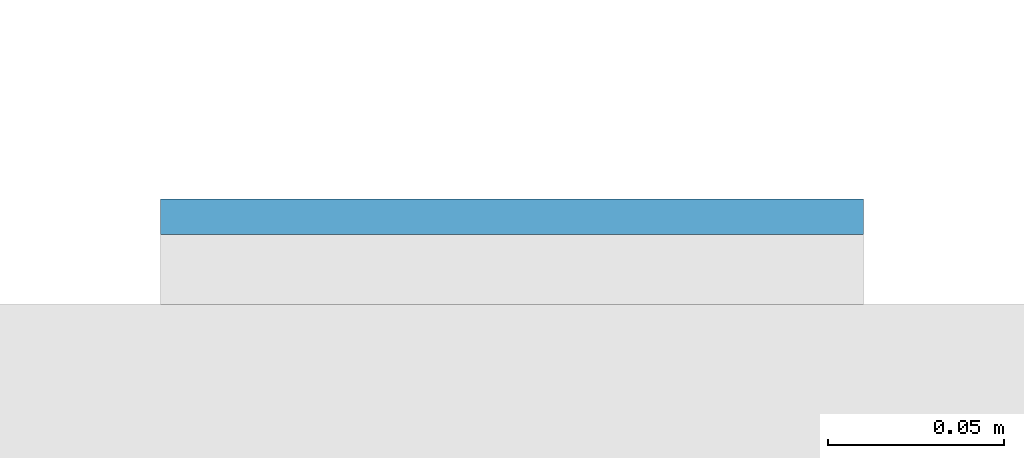
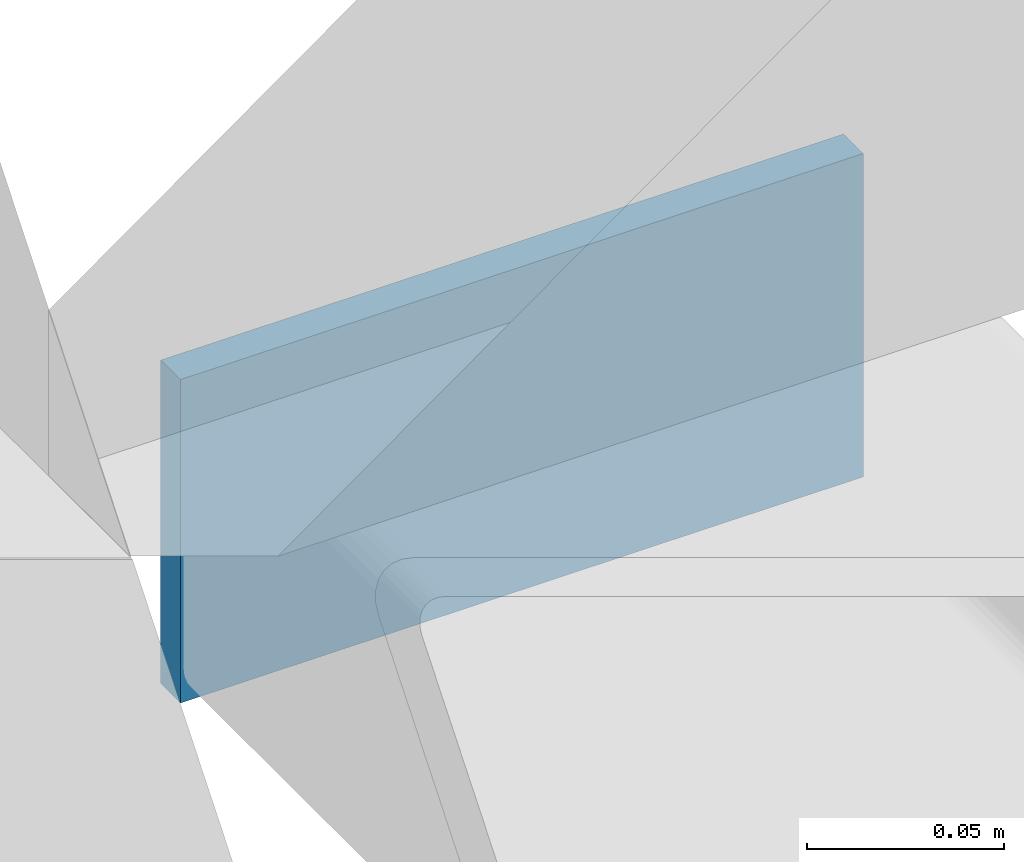
# One storey, part 11 of 20: 1 plate.
"""IFC4 building model written with IfcOpenShell, lengths in metres."""

from ifc_helpers import new_model, si_unit, direction, frame, origin, origin_2d, place, context, subcontext, project, spatial, rectangle, extrude, material, layer, layer_set, type_object, element, save


model = new_model("IFC4")

# Units and contexts
model_context = context("Model", 3, precision=1e-05, world=origin(), true_north=direction((0.0, 1.0)))
body_context = subcontext(model_context, "Body", "Model", "MODEL_VIEW")
ifc_project = project(units=[si_unit("LENGTHUNIT", "METRE"), si_unit("AREAUNIT", "SQUARE_METRE"), si_unit("VOLUMEUNIT", "CUBIC_METRE"), si_unit("PLANEANGLEUNIT", "RADIAN"), si_unit("MASSUNIT", "GRAM", prefix="KILO")], contexts=[model_context])

# Site, building, storey
site_placement = place(None, origin())
site = spatial("IfcSite", under=ifc_project, at=site_placement, CompositionType="ELEMENT")
building_placement = place(site_placement, origin())
building = spatial("IfcBuilding", under=site, at=building_placement, Name="Cleftline Residences", CompositionType="ELEMENT")
storey_placement = place(building_placement, frame((0.0, 0.0, 214.60009765625)))
storey = spatial("IfcBuildingStorey", under=building, at=storey_placement, Name="L56", CompositionType="ELEMENT", Elevation=214.60009765625)

# Plate
ifc_material = material(Name="Steel S355, hot-dip galvanised", Category="steel")
ifc_layer = layer(ifc_material, 0.010009765625)
ifc_layer_set = layer_set([ifc_layer], Name="BAGUETTE CARRIER END PLATE 200X100X10")
plate_type = type_object("IfcPlateType", Name="BAGUETTE CARRIER END PLATE 200X100X10", PredefinedType="USERDEFINED", material=ifc_layer_set)
plate_placement = place(storey_placement, frame((66.85009765625, 44.304931640625, -0.10009765625), z_axis=(0.0, 0.0, 1.0), x_axis=(1.0, 0.0, 0.0)))
element("IfcPlate", 1, at=plate_placement, inside=storey, type_object=plate_type, Name="Baguette carrier end plate", ObjectType="BAGUETTE CARRIER END PLATE", PredefinedType="USERDEFINED", context=body_context, shape_type="SweptSolid", body=[
    extrude(rectangle(XDim=0.199951171875, YDim=0.010009765625, at=origin_2d()), origin(), (0.0, 0.0, 1.0), 0.10009765625),
])

save(model, "model.ifc")
